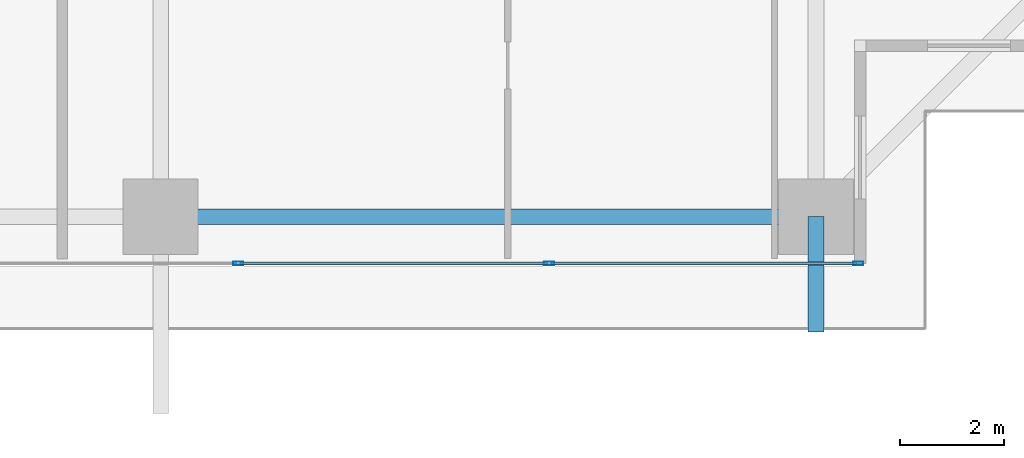
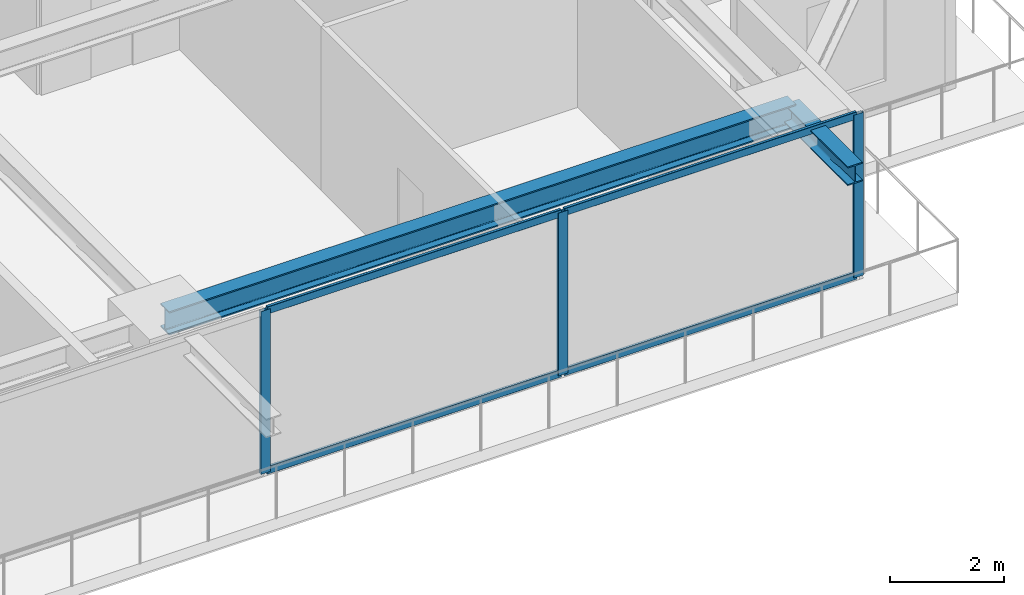
# One storey, part 10 of 34: 7 members, 2 beams, 1 element without a shape of its own.
"""IFC4 building model written with IfcOpenShell, lengths in metres."""

from ifc_helpers import new_model, si_unit, direction, frame, origin, origin_2d, place, context, subcontext, project, spatial, hollow_rectangle, i_section, extrude, source, transform, mapped, material, layer, layer_set, material_profile, profile_set, type_object, element, aggregate, save


model = new_model("IFC4")

# Units and contexts
model_context = context("Model", 3, precision=1e-05, world=origin(), true_north=direction((0.0, 1.0)))
body_context = subcontext(model_context, "Body", "Model", "MODEL_VIEW")
ifc_project = project(units=[si_unit("LENGTHUNIT", "METRE"), si_unit("AREAUNIT", "SQUARE_METRE"), si_unit("VOLUMEUNIT", "CUBIC_METRE"), si_unit("PLANEANGLEUNIT", "RADIAN"), si_unit("MASSUNIT", "GRAM", prefix="KILO")], contexts=[model_context])

# Site, building, storey
site_placement = place(None, origin())
site = spatial("IfcSite", under=ifc_project, at=site_placement, CompositionType="ELEMENT")
building_placement = place(site_placement, origin())
building = spatial("IfcBuilding", under=site, at=building_placement, Name="Serunith Strait Residences", CompositionType="ELEMENT")
storey_placement = place(building_placement, frame((0.0, 0.0, 101.699951171875)))
storey = spatial("IfcBuildingStorey", under=building, at=storey_placement, Name="L25", CompositionType="ELEMENT", Elevation=101.699951171875)

# Beams
ifc_material_1 = material(Name="Steel S355J2", Category="steel")
ifc_material_profile_1 = material_profile(ifc_material_1, i_section(OverallWidth=0.300048828125, OverallDepth=0.5, WebThickness=0.014404296875, FlangeThickness=0.028076171875, FilletRadius=0.027099609375, at=origin_2d()), Name="HEB 500")
ifc_profile_set_1 = profile_set([ifc_material_profile_1], Name="Steel S355J2")
beam_type_1 = type_object("IfcBeamType", Name="BM-HEB500", PredefinedType="BEAM", material=ifc_profile_set_1)
shared_shape_1 = source(origin(), body_context, "Body", "SweptSolid", [
    extrude(i_section(OverallWidth=0.300048828125, OverallDepth=0.5, WebThickness=0.014404296875, FlangeThickness=0.028076171875, FilletRadius=0.027099609375, at=origin_2d()), origin(), (0.0, 0.0, 1.0), 12.650146484375),
])
beam_1_placement = place(storey_placement, frame((36.89990234375, 1.10009765625, 3.237060546875), z_axis=(1.0, 0.0, 0.0), x_axis=(0.0, 1.0, 0.0)))
element("IfcBeam", 1, at=beam_1_placement, inside=storey, type_object=beam_type_1, Name="L25 Perimeter Ring Beam 03", PredefinedType="BEAM", context=body_context, shape_type="MappedRepresentation", body=[
    mapped(shared_shape_1, transform((0.0, 0.0, 0.0), scale=1.0)),
])
ifc_material_profile_2 = material_profile(ifc_material_1, i_section(OverallWidth=0.300048828125, OverallDepth=0.39990234375, WebThickness=0.013427734375, FlangeThickness=0.02392578125, FilletRadius=0.027099609375, at=origin_2d()), Name="HEB 400")
ifc_profile_set_2 = profile_set([ifc_material_profile_2], Name="Steel S355J2")
beam_type_2 = type_object("IfcBeamType", Name="BM-HEB400", PredefinedType="BEAM", material=ifc_profile_set_2)
shared_shape_2 = source(origin(), body_context, "Body", "SweptSolid", [
    extrude(i_section(OverallWidth=0.300048828125, OverallDepth=0.39990234375, WebThickness=0.013427734375, FlangeThickness=0.02392578125, FilletRadius=0.027099609375, at=origin_2d()), origin(), (0.0, 0.0, 1.0), 2.22314453125),
])
beam_2_placement = place(storey_placement, frame((49.550048828125, 1.10009765625, 3.257080078125), z_axis=(0.0, -1.0, 0.0), x_axis=(1.0, 0.0, 0.0)))
element("IfcBeam", 2, at=beam_2_placement, inside=storey, type_object=beam_type_2, Name="L26 Cantilevered Balcony Rib TC-S4", PredefinedType="BEAM", context=body_context, shape_type="MappedRepresentation", body=[
    mapped(shared_shape_2, transform((0.0, 0.0, 0.0), scale=1.0)),
])

# Curtain wall, members
ifc_material_2 = material(Name="Pale-Champagne Anodised Aluminium", Category="aluminium")
ifc_layer = layer(ifc_material_2, 0.199951171875, Name="Pale-Champagne Anodised Aluminium")
ifc_layer_set = layer_set([ifc_layer], Name="Pale-Champagne Anodised Aluminium")
curtain_wall_type = type_object("IfcCurtainWallType", Name="CW-SYS1", PredefinedType="NOTDEFINED", material=ifc_layer_set)
curtain_wall_placement = place(storey_placement, origin())
curtain_wall = element("IfcCurtainWall", 3, at=curtain_wall_placement, inside=storey, type_object=curtain_wall_type, Name="L25 S Unitised Fritted Curtain Wall", PredefinedType="NOTDEFINED")
ifc_material_profile_3 = material_profile(ifc_material_2, hollow_rectangle(XDim=0.070068359375, YDim=0.199951171875, WallThickness=0.00390625, InnerFilletRadius=0.006103515625, OuterFilletRadius=0.010009765625, at=origin_2d()), Name="ALU 200x70x4")
ifc_profile_set_3 = profile_set([ifc_material_profile_3], Name="Pale-Champagne Anodised Aluminium")
member_type_1 = type_object("IfcMemberType", Name="CW-SYS1-MULL", PredefinedType="MULLION", material=ifc_profile_set_3)
shared_shape_3 = source(origin(), body_context, "Body", "SweptSolid", [
    extrude(hollow_rectangle(XDim=0.070068359375, YDim=0.199951171875, WallThickness=0.00390625, InnerFilletRadius=0.006103515625, OuterFilletRadius=0.010009765625, at=origin_2d()), origin(), (0.0, 0.0, 1.0), 3.47509765625),
])
member_1_placement = place(storey_placement, frame((38.39990234375, 0.199951171875, 0.0), z_axis=(0.0, 0.0, 1.0), x_axis=(0.0, 1.0, 0.0)))
member_1 = element("IfcMember", 4, at=member_1_placement, type_object=member_type_1, Name="CW-1 mullion 5", PredefinedType="MULLION", context=body_context, shape_type="MappedRepresentation", body=[
    mapped(shared_shape_3, transform((0.0, 0.0, 0.0), scale=1.0)),
])
member_2_placement = place(storey_placement, frame((44.39990234375, 0.199951171875, 0.0), z_axis=(0.0, 0.0, 1.0), x_axis=(0.0, 1.0, 0.0)))
member_2 = element("IfcMember", 5, at=member_2_placement, type_object=member_type_1, Name="CW-1 mullion 6", PredefinedType="MULLION", context=body_context, shape_type="MappedRepresentation", body=[
    mapped(shared_shape_3, transform((0.0, 0.0, 0.0), scale=1.0)),
])
member_3_placement = place(storey_placement, frame((50.364990234375, 0.199951171875, 0.0), z_axis=(0.0, 0.0, 1.0), x_axis=(0.0, 1.0, 0.0)))
member_3 = element("IfcMember", 6, at=member_3_placement, type_object=member_type_1, Name="CW-1 mullion 7", PredefinedType="MULLION", context=body_context, shape_type="MappedRepresentation", body=[
    mapped(shared_shape_3, transform((0.0, 0.0, 0.0), scale=1.0)),
])
ifc_material_profile_4 = material_profile(ifc_material_2, hollow_rectangle(XDim=0.06005859375, YDim=0.159912109375, WallThickness=0.00341796875, InnerFilletRadius=0.00537109375, OuterFilletRadius=0.0087890625, at=origin_2d()), Name="ALU 160x60x3.5")
ifc_profile_set_4 = profile_set([ifc_material_profile_4], Name="Pale-Champagne Anodised Aluminium")
member_type_2 = type_object("IfcMemberType", Name="CW-SYS1-TRAN", PredefinedType="USERDEFINED", material=ifc_profile_set_4)
shared_shape_4 = source(origin(), body_context, "Body", "SweptSolid", [
    extrude(hollow_rectangle(XDim=0.06005859375, YDim=0.159912109375, WallThickness=0.00341796875, InnerFilletRadius=0.00537109375, OuterFilletRadius=0.0087890625, at=origin_2d()), origin(), (0.0, 0.0, 1.0), 5.89501953125),
])
member_4_placement = place(storey_placement, frame((44.43505859375, 0.199951171875, 0.030029296875), z_axis=(1.0, 0.0, 0.0), x_axis=(0.0, 1.0, 0.0)))
member_4 = element("IfcMember", 7, at=member_4_placement, type_object=member_type_2, Name="CW-1 transom 6.1", ObjectType="TRANSOM", PredefinedType="USERDEFINED", context=body_context, shape_type="MappedRepresentation", body=[
    mapped(shared_shape_4, transform((0.0, 0.0, 0.0), scale=1.0)),
])
member_5_placement = place(storey_placement, frame((44.43505859375, 0.199951171875, 3.445068359375), z_axis=(1.0, 0.0, 0.0), x_axis=(0.0, 1.0, 0.0)))
member_5 = element("IfcMember", 8, at=member_5_placement, type_object=member_type_2, Name="CW-1 transom 6.2", ObjectType="TRANSOM", PredefinedType="USERDEFINED", context=body_context, shape_type="MappedRepresentation", body=[
    mapped(shared_shape_4, transform((0.0, 0.0, 0.0), scale=1.0)),
])
shared_shape_5 = source(origin(), body_context, "Body", "SweptSolid", [
    extrude(hollow_rectangle(XDim=0.06005859375, YDim=0.159912109375, WallThickness=0.00341796875, InnerFilletRadius=0.00537109375, OuterFilletRadius=0.0087890625, at=origin_2d()), origin(), (0.0, 0.0, 1.0), 5.929931640625),
])
member_6_placement = place(storey_placement, frame((38.43505859375, 0.199951171875, 0.030029296875), z_axis=(1.0, 0.0, 0.0), x_axis=(0.0, 1.0, 0.0)))
member_6 = element("IfcMember", 9, at=member_6_placement, type_object=member_type_2, Name="CW-1 transom 5.1", ObjectType="TRANSOM", PredefinedType="USERDEFINED", context=body_context, shape_type="MappedRepresentation", body=[
    mapped(shared_shape_5, transform((0.0, 0.0, 0.0), scale=1.0)),
])
member_7_placement = place(storey_placement, frame((38.43505859375, 0.199951171875, 3.445068359375), z_axis=(1.0, 0.0, 0.0), x_axis=(0.0, 1.0, 0.0)))
member_7 = element("IfcMember", 10, at=member_7_placement, type_object=member_type_2, Name="CW-1 transom 5.2", ObjectType="TRANSOM", PredefinedType="USERDEFINED", context=body_context, shape_type="MappedRepresentation", body=[
    mapped(shared_shape_5, transform((0.0, 0.0, 0.0), scale=1.0)),
])
aggregate(curtain_wall, [member_1, member_2, member_3, member_6, member_7, member_4, member_5])

save(model, "model.ifc")
